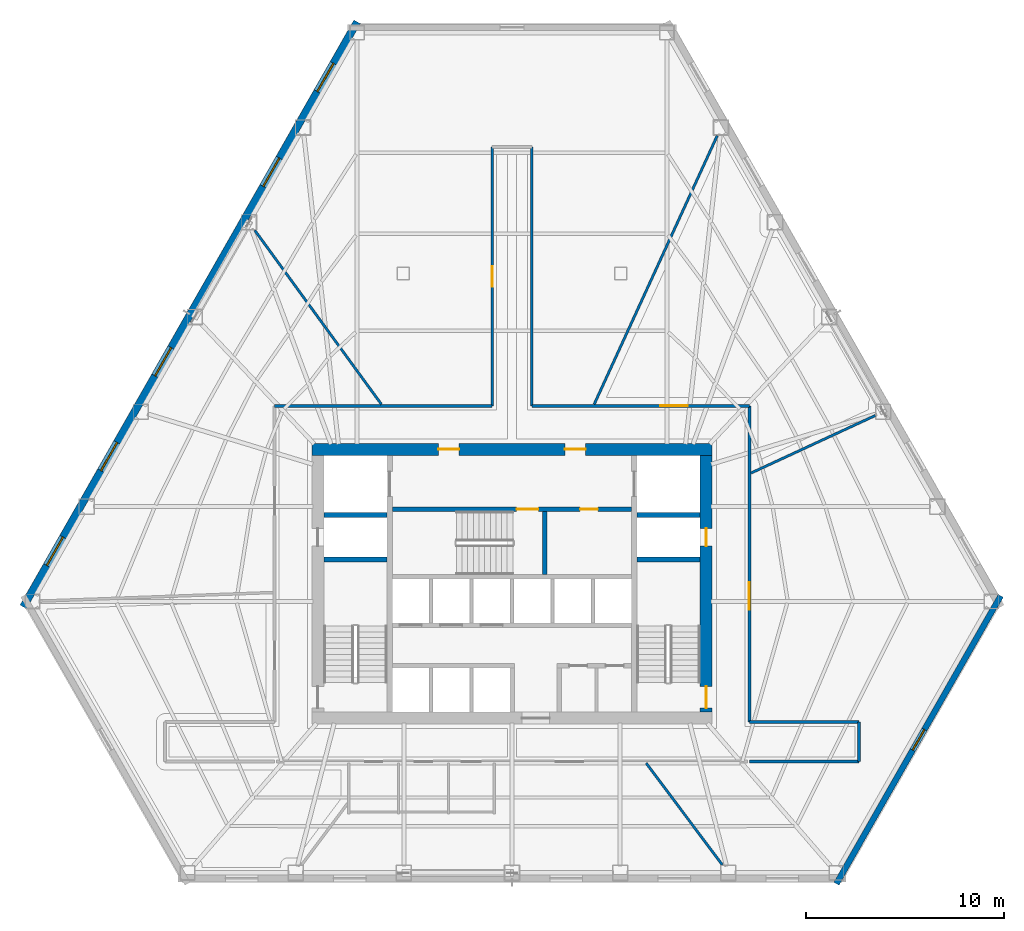
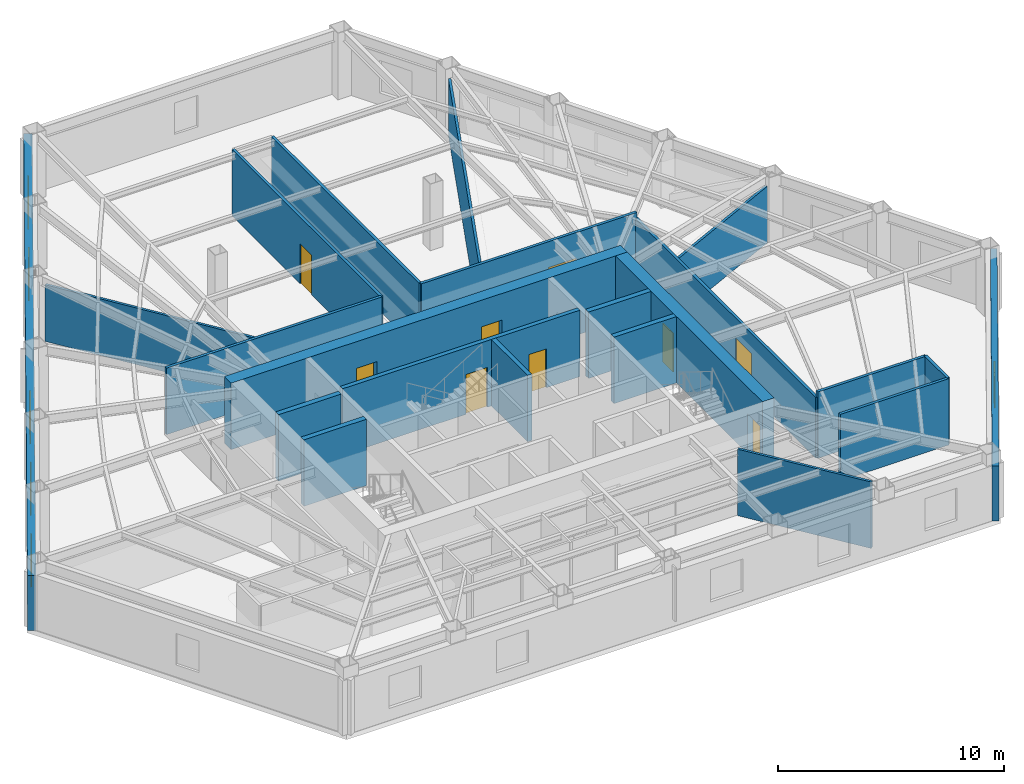
# One storey, part 7 of 11: 22 walls, 9 doors, 6 windows, 15 openings.
"""IFC4 building model written with IfcOpenShell, lengths in metres."""

from ifc_helpers import new_model, si_unit, direction, frame, frame_2d, origin, place, context, subcontext, project, spatial, rectangle, extrude, material, layer, layer_set, type_object, element, fill, save


model = new_model("IFC4")

# Units and contexts
model_context = context("Model", 3, precision=1e-05, world=origin(), true_north=direction((0.0, 1.0)))
body_context = subcontext(model_context, "Body", "Model", "MODEL_VIEW")
ifc_project = project(units=[si_unit("LENGTHUNIT", "METRE"), si_unit("AREAUNIT", "SQUARE_METRE"), si_unit("VOLUMEUNIT", "CUBIC_METRE"), si_unit("PLANEANGLEUNIT", "RADIAN"), si_unit("MASSUNIT", "GRAM", prefix="KILO")], contexts=[model_context])

# Site, building, storey
site_placement = place(None, origin())
site = spatial("IfcSite", under=ifc_project, at=site_placement, CompositionType="ELEMENT")
building_placement = place(site_placement, origin())
building = spatial("IfcBuilding", under=site, at=building_placement, Name="Kavelnor Concourse Tower", CompositionType="ELEMENT")
storey_placement = place(building_placement, frame((0.0, 0.0, 25.25)))
storey = spatial("IfcBuildingStorey", under=building, at=storey_placement, Name="L06", CompositionType="ELEMENT", Elevation=25.25)

# Wall, openings, doors
ifc_material_1 = material(Name="Concrete C60/75", Category="concrete")
ifc_layer_1 = layer(ifc_material_1, 0.60009765625, Name="Concrete C60/75")
ifc_layer_set_1 = layer_set([ifc_layer_1], Name="Concrete C60/75")
wall_type_1 = type_object("IfcWallType", Name="WL-CORE-Z1-600", PredefinedType="SOLIDWALL", material=ifc_layer_set_1)
wall_1_placement = place(storey_placement, frame((27.8798828125, 22.89990234375, 0.0), z_axis=(0.0, 0.0, 1.0), x_axis=(1.0, 0.0, 0.0)))
wall_1 = element("IfcWall", 1, at=wall_1_placement, inside=storey, type_object=wall_type_1, Name="L06 Central Core North Shear Wall", PredefinedType="SOLIDWALL", context=body_context, shape_type="SweptSolid", body=[
    extrude(rectangle(XDim=20.240234375, YDim=0.60009765625, at=frame_2d((10.1201171875, 0.0))), origin(), (0.0, 0.0, 1.0), 3.590087890625),
])
opening_1_placement = place(wall_1_placement, frame((6.39501953125, 0.0, 0.0)))
opening_1 = element("IfcOpeningElement", 2, at=opening_1_placement, cuts=wall_1, Name="Opening FD-105", PredefinedType="OPENING", context=body_context, shape_type="SweptSolid", body=[
    extrude(rectangle(XDim=1.050048828125, YDim=2.14990234375, at=frame_2d((0.52490234375, 1.074951171875))), frame((0.0, 0.31005859375, 0.0), z_axis=(0.0, -1.0, 0.0), x_axis=(1.0, 0.0, 0.0)), (0.0, 0.0, 1.0), 0.6201171875),
])
opening_2_placement = place(wall_1_placement, frame((12.794921875, 0.0, 0.0)))
opening_2 = element("IfcOpeningElement", 3, at=opening_2_placement, cuts=wall_1, Name="Opening FD-105", PredefinedType="OPENING", context=body_context, shape_type="SweptSolid", body=[
    extrude(rectangle(XDim=1.050048828125, YDim=2.14990234375, at=frame_2d((0.52490234375, 1.074951171875))), frame((0.0, 0.31005859375, 0.0), z_axis=(0.0, -1.0, 0.0), x_axis=(1.0, 0.0, 0.0)), (0.0, 0.0, 1.0), 0.6201171875),
])
ifc_material_2 = material(Name="Steel Grade 350", Category="steel")
door_type_1 = type_object("IfcDoorType", Name="DR-LOBBY-FIRE-1050", OperationType="NOTDEFINED", PredefinedType="DOOR", material=ifc_material_2)
door_1_placement = place(opening_1_placement, origin())
door_1 = element("IfcDoor", 4, at=door_1_placement, inside=storey, type_object=door_type_1, Name="L06 Emergency Lift Lobby West Door", OperationType="SINGLE_SWING_LEFT", OverallHeight=2.14990234375, OverallWidth=1.050048828125, PredefinedType="DOOR", context=body_context, shape_type="SweptSolid", body=[
    extrude(rectangle(XDim=1.050048828125, YDim=2.14990234375, at=frame_2d((0.52490234375, 1.074951171875))), frame((0.0, 0.02490234375, 0.0), z_axis=(0.0, -1.0, 0.0), x_axis=(1.0, 0.0, 0.0)), (0.0, 0.0, 1.0), 0.050048828125),
])
fill(opening_1, door_1)
door_2_placement = place(opening_2_placement, origin())
door_2 = element("IfcDoor", 5, at=door_2_placement, inside=storey, type_object=door_type_1, Name="L06 Emergency Lift Lobby East Door", OperationType="SINGLE_SWING_RIGHT", OverallHeight=2.14990234375, OverallWidth=1.050048828125, PredefinedType="DOOR", context=body_context, shape_type="SweptSolid", body=[
    extrude(rectangle(XDim=1.050048828125, YDim=2.14990234375, at=frame_2d((0.52490234375, 1.074951171875))), frame((0.0, 0.02490234375, 0.0), z_axis=(0.0, -1.0, 0.0), x_axis=(1.0, 0.0, 0.0)), (0.0, 0.0, 1.0), 0.050048828125),
])
fill(opening_2, door_2)

wall_2_placement = place(storey_placement, frame((47.820068359375, 9.60009765625, 0.0), z_axis=(0.0, 0.0, 1.0), x_axis=(0.0, 1.0, 0.0)))
wall_2 = element("IfcWall", 6, at=wall_2_placement, inside=storey, type_object=wall_type_1, Name="L06 Central Core East Shear Wall", PredefinedType="SOLIDWALL", context=body_context, shape_type="SweptSolid", body=[
    extrude(rectangle(XDim=13.0, YDim=0.60009765625, at=frame_2d((6.5, 0.0))), origin(), (0.0, 0.0, 1.0), 3.590087890625),
])
opening_3_placement = place(wall_2_placement, frame((0.199951171875, 0.0, 0.0)))
opening_3 = element("IfcOpeningElement", 7, at=opening_3_placement, cuts=wall_2, Name="Opening FD-110", PredefinedType="OPENING", context=body_context, shape_type="SweptSolid", body=[
    extrude(rectangle(XDim=1.10009765625, YDim=2.14990234375, at=frame_2d((0.550048828125, 1.074951171875))), frame((0.0, 0.31005859375, 0.0), z_axis=(0.0, -1.0, 0.0), x_axis=(1.0, 0.0, 0.0)), (0.0, 0.0, 1.0), 0.6201171875),
])
opening_4_placement = place(wall_2_placement, frame((8.39990234375, 0.0, 0.0)))
opening_4 = element("IfcOpeningElement", 8, at=opening_4_placement, cuts=wall_2, Name="Opening FD-090", PredefinedType="OPENING", context=body_context, shape_type="SweptSolid", body=[
    extrude(rectangle(XDim=0.89990234375, YDim=2.10009765625, at=frame_2d((0.449951171875, 1.050048828125))), frame((0.0, 0.31005859375, 0.0), z_axis=(0.0, -1.0, 0.0), x_axis=(1.0, 0.0, 0.0)), (0.0, 0.0, 1.0), 0.6201171875),
])
door_type_2 = type_object("IfcDoorType", Name="DR-RISER-FIRE-900", OperationType="NOTDEFINED", PredefinedType="DOOR", material=ifc_material_2)
door_3_placement = place(opening_4_placement, origin())
door_3 = element("IfcDoor", 9, at=door_3_placement, inside=storey, type_object=door_type_2, Name="L06 East Riser Access Door", OperationType="SINGLE_SWING_LEFT", OverallHeight=2.10009765625, OverallWidth=0.89990234375, PredefinedType="DOOR", context=body_context, shape_type="SweptSolid", body=[
    extrude(rectangle(XDim=0.89990234375, YDim=2.10009765625, at=frame_2d((0.449951171875, 1.050048828125))), frame((0.0, 0.02490234375, 0.0), z_axis=(0.0, -1.0, 0.0), x_axis=(1.0, 0.0, 0.0)), (0.0, 0.0, 1.0), 0.050048828125),
])
fill(opening_4, door_3)
door_type_3 = type_object("IfcDoorType", Name="DR-STAIR-FIRE-1100", OperationType="NOTDEFINED", PredefinedType="DOOR", material=ifc_material_2)
door_4_placement = place(opening_3_placement, origin())
door_4 = element("IfcDoor", 10, at=door_4_placement, inside=storey, type_object=door_type_3, Name="L06 Stair ST2 Fire Door", OperationType="SINGLE_SWING_RIGHT", OverallHeight=2.14990234375, OverallWidth=1.10009765625, PredefinedType="DOOR", context=body_context, shape_type="SweptSolid", body=[
    extrude(rectangle(XDim=1.10009765625, YDim=2.14990234375, at=frame_2d((0.550048828125, 1.074951171875))), frame((0.0, 0.02490234375, 0.0), z_axis=(0.0, -1.0, 0.0), x_axis=(1.0, 0.0, 0.0)), (0.0, 0.0, 1.0), 0.050048828125),
])
fill(opening_3, door_4)

# Wall, opening, window
ifc_material_3 = material(Name="Buff ironspot clay face brick masonry", Category="masonry")
ifc_layer_2 = layer(ifc_material_3, 0.300048828125, Name="Buff ironspot clay face brick masonry")
ifc_layer_set_2 = layer_set([ifc_layer_2], Name="Buff ironspot clay face brick masonry")
wall_type_2 = type_object("IfcWallType", Name="WL-EXT-BUFF-BRICK-FOLD-300", PredefinedType="STANDARD", material=ifc_layer_set_2)
wall_3_placement = place(storey_placement, frame((62.73681640625, 15.48388671875, 0.0), z_axis=(0.0, 0.0, 1.0), x_axis=(-0.495706340457, -0.868490198005, 0.0)))
wall_3 = element("IfcWall", 11, at=wall_3_placement, inside=storey, type_object=wall_type_2, Name="L06 Exterior Brick Facade Wall E4", PredefinedType="STANDARD", context=body_context, shape_type="SweptSolid", body=[
    extrude(rectangle(XDim=16.77685546875, YDim=0.300048828125, at=frame_2d((8.388427734375, 0.0))), origin(), (0.0, 0.0, 1.0), 2.969970703125),
])
opening_5_placement = place(wall_3_placement, frame((7.78857421875, 0.0, 0.64990234375)))
opening_5 = element("IfcOpeningElement", 12, at=opening_5_placement, cuts=wall_3, Name="Opening W-05", PredefinedType="OPENING", context=body_context, shape_type="SweptSolid", body=[
    extrude(rectangle(XDim=1.199951171875, YDim=1.699951171875, at=frame_2d((0.60009765625, 0.85009765625))), frame((0.0, 0.16015625, 0.0), z_axis=(0.0, -1.0, 0.0), x_axis=(1.0, 0.0, 0.0)), (0.0, 0.0, 1.0), 0.320068359375),
])
ifc_material_4 = material(Name="Double low-E argon insulated glazing", Category="glass")
window_type_1 = type_object("IfcWindowType", Name="WIN-FOLD-1200", PartitioningType="SINGLE_PANEL", PredefinedType="WINDOW", material=ifc_material_4)
window_1_placement = place(opening_5_placement, origin())
window_1 = element("IfcWindow", 13, at=window_1_placement, inside=storey, type_object=window_type_1, Name="L06 Chamfer-Fold Facet Window C2", OverallHeight=1.699951171875, OverallWidth=1.199951171875, PartitioningType="SINGLE_PANEL", PredefinedType="WINDOW", context=body_context, shape_type="SweptSolid", body=[
    extrude(rectangle(XDim=1.199951171875, YDim=1.699951171875, at=frame_2d((0.60009765625, 0.85009765625))), frame((0.0, 0.030029296875, 0.0), z_axis=(0.0, -1.0, 0.0), x_axis=(1.0, 0.0, 0.0)), (0.0, 0.0, 1.0), 0.06005859375),
])
fill(opening_5, window_1)

# Wall, openings, windows
ifc_material_5 = material(Name="Red-ochre clay face brick masonry", Category="masonry")
ifc_layer_3 = layer(ifc_material_5, 0.3798828125, Name="Red-ochre clay face brick masonry")
ifc_layer_set_3 = layer_set([ifc_layer_3], Name="Red-ochre clay face brick masonry")
wall_type_3 = type_object("IfcWallType", Name="WL-EXT-RED-BRICK-PIER-380", PredefinedType="STANDARD", material=ifc_layer_set_3)
wall_4_placement = place(storey_placement, frame((13.26318359375, 14.928466796875, 0.0), z_axis=(0.0, 0.0, 1.0), x_axis=(0.495711630902, 0.868487178367, 0.0)))
wall_4 = element("IfcWall", 14, at=wall_4_placement, inside=storey, type_object=wall_type_3, Name="L06 Exterior Brick Facade Wall E1", PredefinedType="STANDARD", context=body_context, shape_type="SweptSolid", body=[
    extrude(rectangle(XDim=34.09228515625, YDim=0.3798828125, at=frame_2d((17.046142578125, 0.0))), origin(), (0.0, 0.0, 1.0), 2.969970703125),
])
opening_6_placement = place(wall_4_placement, frame((30.02685546875, 0.0, 0.64990234375)))
opening_6 = element("IfcOpeningElement", 15, at=opening_6_placement, cuts=wall_4, Name="Opening W-01", PredefinedType="OPENING", context=body_context, shape_type="SweptSolid", body=[
    extrude(rectangle(XDim=1.64990234375, YDim=1.75, at=frame_2d((0.824951171875, 0.875))), frame((0.0, 0.199951171875, 0.0), z_axis=(0.0, -1.0, 0.0), x_axis=(1.0, 0.0, 0.0)), (0.0, 0.0, 1.0), 0.39990234375),
])
opening_7_placement = place(wall_4_placement, frame((24.503662109375, 0.0, 0.64990234375)))
opening_7 = element("IfcOpeningElement", 16, at=opening_7_placement, cuts=wall_4, Name="Opening W-01", PredefinedType="OPENING", context=body_context, shape_type="SweptSolid", body=[
    extrude(rectangle(XDim=1.64990234375, YDim=1.75, at=frame_2d((0.824951171875, 0.875))), frame((0.0, 0.199951171875, 0.0), z_axis=(0.0, -1.0, 0.0), x_axis=(1.0, 0.0, 0.0)), (0.0, 0.0, 1.0), 0.39990234375),
])
opening_8_placement = place(wall_4_placement, frame((13.45703125, 0.0, 0.64990234375)))
opening_8 = element("IfcOpeningElement", 17, at=opening_8_placement, cuts=wall_4, Name="Opening W-01", PredefinedType="OPENING", context=body_context, shape_type="SweptSolid", body=[
    extrude(rectangle(XDim=1.64990234375, YDim=1.75, at=frame_2d((0.824951171875, 0.875))), frame((0.0, 0.199951171875, 0.0), z_axis=(0.0, -1.0, 0.0), x_axis=(1.0, 0.0, 0.0)), (0.0, 0.0, 1.0), 0.39990234375),
])
opening_9_placement = place(wall_4_placement, frame((7.933837890625, 0.0, 0.64990234375)))
opening_9 = element("IfcOpeningElement", 18, at=opening_9_placement, cuts=wall_4, Name="Opening W-01", PredefinedType="OPENING", context=body_context, shape_type="SweptSolid", body=[
    extrude(rectangle(XDim=1.64990234375, YDim=1.75, at=frame_2d((0.824951171875, 0.875))), frame((0.0, 0.199951171875, 0.0), z_axis=(0.0, -1.0, 0.0), x_axis=(1.0, 0.0, 0.0)), (0.0, 0.0, 1.0), 0.39990234375),
])
opening_10_placement = place(wall_4_placement, frame((2.41064453125, 0.0, 0.64990234375)))
opening_10 = element("IfcOpeningElement", 19, at=opening_10_placement, cuts=wall_4, Name="Opening W-01", PredefinedType="OPENING", context=body_context, shape_type="SweptSolid", body=[
    extrude(rectangle(XDim=1.64990234375, YDim=1.75, at=frame_2d((0.824951171875, 0.875))), frame((0.0, 0.199951171875, 0.0), z_axis=(0.0, -1.0, 0.0), x_axis=(1.0, 0.0, 0.0)), (0.0, 0.0, 1.0), 0.39990234375),
])
window_type_2 = type_object("IfcWindowType", Name="WIN-PIER-Z1-1800", PartitioningType="SINGLE_PANEL", PredefinedType="WINDOW", material=ifc_material_4)
window_2_placement = place(opening_6_placement, origin())
window_2 = element("IfcWindow", 20, at=window_2_placement, inside=storey, type_object=window_type_2, Name="L06 Deep-Set Brick Pier Window F0-B0", OverallHeight=1.75, OverallWidth=1.64990234375, PartitioningType="SINGLE_PANEL", PredefinedType="WINDOW", context=body_context, shape_type="SweptSolid", body=[
    extrude(rectangle(XDim=1.64990234375, YDim=1.75, at=frame_2d((0.824951171875, 0.875))), frame((0.0, 0.030029296875, 0.0), z_axis=(0.0, -1.0, 0.0), x_axis=(1.0, 0.0, 0.0)), (0.0, 0.0, 1.0), 0.06005859375),
])
fill(opening_6, window_2)
window_3_placement = place(opening_7_placement, origin())
window_3 = element("IfcWindow", 21, at=window_3_placement, inside=storey, type_object=window_type_2, Name="L06 Deep-Set Brick Pier Window F0-B1", OverallHeight=1.75, OverallWidth=1.64990234375, PartitioningType="SINGLE_PANEL", PredefinedType="WINDOW", context=body_context, shape_type="SweptSolid", body=[
    extrude(rectangle(XDim=1.64990234375, YDim=1.75, at=frame_2d((0.824951171875, 0.875))), frame((0.0, 0.030029296875, 0.0), z_axis=(0.0, -1.0, 0.0), x_axis=(1.0, 0.0, 0.0)), (0.0, 0.0, 1.0), 0.06005859375),
])
fill(opening_7, window_3)
window_4_placement = place(opening_8_placement, origin())
window_4 = element("IfcWindow", 22, at=window_4_placement, inside=storey, type_object=window_type_2, Name="L06 Deep-Set Brick Pier Window F0-B3", OverallHeight=1.75, OverallWidth=1.64990234375, PartitioningType="SINGLE_PANEL", PredefinedType="WINDOW", context=body_context, shape_type="SweptSolid", body=[
    extrude(rectangle(XDim=1.64990234375, YDim=1.75, at=frame_2d((0.824951171875, 0.875))), frame((0.0, 0.030029296875, 0.0), z_axis=(0.0, -1.0, 0.0), x_axis=(1.0, 0.0, 0.0)), (0.0, 0.0, 1.0), 0.06005859375),
])
fill(opening_8, window_4)
window_5_placement = place(opening_9_placement, origin())
window_5 = element("IfcWindow", 23, at=window_5_placement, inside=storey, type_object=window_type_2, Name="L06 Deep-Set Brick Pier Window F0-B4", OverallHeight=1.75, OverallWidth=1.64990234375, PartitioningType="SINGLE_PANEL", PredefinedType="WINDOW", context=body_context, shape_type="SweptSolid", body=[
    extrude(rectangle(XDim=1.64990234375, YDim=1.75, at=frame_2d((0.824951171875, 0.875))), frame((0.0, 0.030029296875, 0.0), z_axis=(0.0, -1.0, 0.0), x_axis=(1.0, 0.0, 0.0)), (0.0, 0.0, 1.0), 0.06005859375),
])
fill(opening_9, window_5)
window_6_placement = place(opening_10_placement, origin())
window_6 = element("IfcWindow", 24, at=window_6_placement, inside=storey, type_object=window_type_2, Name="L06 Deep-Set Brick Pier Window F0-B5", OverallHeight=1.75, OverallWidth=1.64990234375, PartitioningType="SINGLE_PANEL", PredefinedType="WINDOW", context=body_context, shape_type="SweptSolid", body=[
    extrude(rectangle(XDim=1.64990234375, YDim=1.75, at=frame_2d((0.824951171875, 0.875))), frame((0.0, 0.030029296875, 0.0), z_axis=(0.0, -1.0, 0.0), x_axis=(1.0, 0.0, 0.0)), (0.0, 0.0, 1.0), 0.06005859375),
])
fill(opening_10, window_6)

# Wall
ifc_material_6 = material(Name="Gypsum plasterboard on light-gauge steel studs", Category="steel")
ifc_layer_4 = layer(ifc_material_6, 0.14501953125, Name="Gypsum plasterboard on light-gauge steel studs")
ifc_layer_set_4 = layer_set([ifc_layer_4], Name="Gypsum plasterboard on light-gauge steel studs")
wall_type_4 = type_object("IfcWallType", Name="WL-INT-CORR-145", PredefinedType="PARTITIONING", material=ifc_layer_set_4)
wall_5_placement = place(storey_placement, frame((25.97998046875, 25.10009765625, 0.0), z_axis=(0.0, 0.0, 1.0), x_axis=(1.0, 0.0, 0.0)))
element("IfcWall", 25, at=wall_5_placement, inside=storey, type_object=wall_type_4, Name="L06 Corridor Wall WL-L06-CR-03", PredefinedType="PARTITIONING", context=body_context, shape_type="SweptSolid", body=[
    extrude(rectangle(XDim=11.02001953125, YDim=0.14501953125, at=frame_2d((5.510009765625, 0.0))), origin(), (0.0, 0.0, 1.0), 3.590087890625),
])

# Wall, opening, door
wall_6_placement = place(storey_placement, frame((37.0, 25.10009765625, 0.0), z_axis=(0.0, 0.0, 1.0), x_axis=(0.0, 1.0, 0.0)))
wall_6 = element("IfcWall", 26, at=wall_6_placement, inside=storey, type_object=wall_type_4, Name="L06 Corridor Wall WL-L06-CR-04", PredefinedType="PARTITIONING", context=body_context, shape_type="SweptSolid", body=[
    extrude(rectangle(XDim=13.099853515625, YDim=0.14501953125, at=frame_2d((6.5498046875, 0.0))), origin(), (0.0, 0.0, 1.0), 3.590087890625),
])
opening_11_placement = place(wall_6_placement, frame((6.0400390625, 0.0, 0.0)))
opening_11 = element("IfcOpeningElement", 27, at=opening_11_placement, cuts=wall_6, Name="Opening MD-102", PredefinedType="OPENING", context=body_context, shape_type="SweptSolid", body=[
    extrude(rectangle(XDim=1.02001953125, YDim=2.14990234375, at=frame_2d((0.510009765625, 1.074951171875))), frame((0.0, 0.08251953125, 0.0), z_axis=(0.0, -1.0, 0.0), x_axis=(1.0, 0.0, 0.0)), (0.0, 0.0, 1.0), 0.1650390625),
])
ifc_material_7 = material(Name="Acoustic glazed timber frame", Category="wood")
door_type_4 = type_object("IfcDoorType", Name="DR-MEETING-1020", OperationType="NOTDEFINED", PredefinedType="DOOR", material=ifc_material_7)
door_5_placement = place(opening_11_placement, origin())
door_5 = element("IfcDoor", 28, at=door_5_placement, inside=storey, type_object=door_type_4, Name="L06 Client Boardroom 02 Door", OperationType="SINGLE_SWING_LEFT", OverallHeight=2.14990234375, OverallWidth=1.02001953125, PredefinedType="DOOR", context=body_context, shape_type="SweptSolid", body=[
    extrude(rectangle(XDim=1.02001953125, YDim=2.14990234375, at=frame_2d((0.510009765625, 1.074951171875))), frame((0.0, 0.02490234375, 0.0), z_axis=(0.0, -1.0, 0.0), x_axis=(1.0, 0.0, 0.0)), (0.0, 0.0, 1.0), 0.050048828125),
])
fill(opening_11, door_5)

# Wall
wall_7_placement = place(storey_placement, frame((39.0, 38.199951171875, 0.0), z_axis=(0.0, 0.0, 1.0), x_axis=(0.0, -1.0, 0.0)))
element("IfcWall", 29, at=wall_7_placement, inside=storey, type_object=wall_type_4, Name="L06 Corridor Wall WL-L06-CR-06", PredefinedType="PARTITIONING", context=body_context, shape_type="SweptSolid", body=[
    extrude(rectangle(XDim=13.099853515625, YDim=0.14501953125, at=frame_2d((6.5498046875, 0.0))), origin(), (0.0, 0.0, 1.0), 3.590087890625),
])

# Wall, opening, door
wall_8_placement = place(storey_placement, frame((39.0, 25.10009765625, 0.0), z_axis=(0.0, 0.0, 1.0), x_axis=(1.0, 0.0, 0.0)))
wall_8 = element("IfcWall", 30, at=wall_8_placement, inside=storey, type_object=wall_type_4, Name="L06 Corridor Wall WL-L06-CR-07", PredefinedType="PARTITIONING", context=body_context, shape_type="SweptSolid", body=[
    extrude(rectangle(XDim=11.02001953125, YDim=0.14501953125, at=frame_2d((5.510009765625, 0.0))), origin(), (0.0, 0.0, 1.0), 3.590087890625),
])
opening_12_placement = place(wall_8_placement, frame((6.5048828125, 0.0, 0.0)))
opening_12 = element("IfcOpeningElement", 31, at=opening_12_placement, cuts=wall_8, Name="Opening SD-140", PredefinedType="OPENING", context=body_context, shape_type="SweptSolid", body=[
    extrude(rectangle(XDim=1.39990234375, YDim=2.199951171875, at=frame_2d((0.699951171875, 1.10009765625))), frame((0.0, 0.08251953125, 0.0), z_axis=(0.0, -1.0, 0.0), x_axis=(1.0, 0.0, 0.0)), (0.0, 0.0, 1.0), 0.1650390625),
])
ifc_material_8 = material(Name="Solid-core hardwood timber", Category="wood")
door_type_5 = type_object("IfcDoorType", Name="DR-SUITE-ENTRY-1400", OperationType="NOTDEFINED", PredefinedType="DOOR", material=ifc_material_8)
door_6_placement = place(opening_12_placement, origin())
door_6 = element("IfcDoor", 32, at=door_6_placement, inside=storey, type_object=door_type_5, Name="L06 Workplace Open Office 01 Door", OperationType="SINGLE_SWING_RIGHT", OverallHeight=2.199951171875, OverallWidth=1.39990234375, PredefinedType="DOOR", context=body_context, shape_type="SweptSolid", body=[
    extrude(rectangle(XDim=1.39990234375, YDim=2.199951171875, at=frame_2d((0.699951171875, 1.10009765625))), frame((0.0, 0.02490234375, 0.0), z_axis=(0.0, -1.0, 0.0), x_axis=(1.0, 0.0, 0.0)), (0.0, 0.0, 1.0), 0.050048828125),
])
fill(opening_12, door_6)

wall_9_placement = place(storey_placement, frame((50.02001953125, 25.10009765625, 0.0), z_axis=(0.0, 0.0, 1.0), x_axis=(0.0, -1.0, 0.0)))
wall_9 = element("IfcWall", 33, at=wall_9_placement, inside=storey, type_object=wall_type_4, Name="L06 Corridor Wall WL-L06-CR-08", PredefinedType="PARTITIONING", context=body_context, shape_type="SweptSolid", body=[
    extrude(rectangle(XDim=16.0, YDim=0.14501953125, at=frame_2d((8.0, 0.0))), origin(), (0.0, 0.0, 1.0), 3.278076171875),
])
opening_13_placement = place(wall_9_placement, frame((8.91552734375, 0.0, 0.0)))
opening_13 = element("IfcOpeningElement", 34, at=opening_13_placement, cuts=wall_9, Name="Opening SD-140", PredefinedType="OPENING", context=body_context, shape_type="SweptSolid", body=[
    extrude(rectangle(XDim=1.39990234375, YDim=2.199951171875, at=frame_2d((0.699951171875, 1.10009765625))), frame((0.0, 0.08251953125, 0.0), z_axis=(0.0, -1.0, 0.0), x_axis=(1.0, 0.0, 0.0)), (0.0, 0.0, 1.0), 0.1650390625),
])
door_7_placement = place(opening_13_placement, origin())
door_7 = element("IfcDoor", 35, at=door_7_placement, inside=storey, type_object=door_type_5, Name="L06 Workplace Open Office 06 Door", OperationType="SINGLE_SWING_LEFT", OverallHeight=2.199951171875, OverallWidth=1.39990234375, PredefinedType="DOOR", context=body_context, shape_type="SweptSolid", body=[
    extrude(rectangle(XDim=1.39990234375, YDim=2.199951171875, at=frame_2d((0.699951171875, 1.10009765625))), frame((0.0, 0.02490234375, 0.0), z_axis=(0.0, -1.0, 0.0), x_axis=(1.0, 0.0, 0.0)), (0.0, 0.0, 1.0), 0.050048828125),
])
fill(opening_13, door_7)

# Walls
wall_10_placement = place(storey_placement, frame((50.02001953125, 9.10009765625, 0.0), z_axis=(0.0, 0.0, 1.0), x_axis=(1.0, 0.0, 0.0)))
element("IfcWall", 36, at=wall_10_placement, inside=storey, type_object=wall_type_4, Name="L06 Corridor Wall WL-L06-CR-09", PredefinedType="PARTITIONING", context=body_context, shape_type="SweptSolid", body=[
    extrude(rectangle(XDim=5.549560546875, YDim=0.14501953125, at=frame_2d((2.77490234375, 0.0))), origin(), (0.0, 0.0, 1.0), 3.590087890625),
])
wall_11_placement = place(storey_placement, frame((55.569580078125, 9.10009765625, 0.0), z_axis=(0.0, 0.0, 1.0), x_axis=(0.0, -1.0, 0.0)))
element("IfcWall", 37, at=wall_11_placement, inside=storey, type_object=wall_type_4, Name="L06 Corridor Wall WL-L06-CR-10", PredefinedType="PARTITIONING", context=body_context, shape_type="SweptSolid", body=[
    extrude(rectangle(XDim=2.0, YDim=0.14501953125, at=frame_2d((1.0, 0.0))), origin(), (0.0, 0.0, 1.0), 3.590087890625),
])
wall_12_placement = place(storey_placement, frame((55.569580078125, 7.10009765625, 0.0), z_axis=(0.0, 0.0, 1.0), x_axis=(-1.0, 0.0, 0.0)))
element("IfcWall", 38, at=wall_12_placement, inside=storey, type_object=wall_type_4, Name="L06 Corridor Wall WL-L06-CR-11", PredefinedType="PARTITIONING", context=body_context, shape_type="SweptSolid", body=[
    extrude(rectangle(XDim=5.549560546875, YDim=0.14501953125, at=frame_2d((2.77490234375, 0.0))), origin(), (0.0, 0.0, 1.0), 3.590087890625),
])
ifc_layer_5 = layer(ifc_material_6, 0.125, Name="Gypsum plasterboard on light-gauge steel studs")
ifc_layer_set_5 = layer_set([ifc_layer_5], Name="Gypsum plasterboard on light-gauge steel studs")
wall_type_5 = type_object("IfcWallType", Name="WL-INT-SUITE-125", PredefinedType="PARTITIONING", material=ifc_layer_set_5)
wall_13_placement = place(storey_placement, frame((50.1005859375, 21.7021484375, 0.0), z_axis=(0.0, 0.0, 1.0), x_axis=(0.907458193586, 0.420142388832, 0.0)))
element("IfcWall", 39, at=wall_13_placement, inside=storey, type_object=wall_type_5, Name="L06 Radial Suite Partition 01", PredefinedType="PARTITIONING", context=body_context, shape_type="SweptSolid", body=[
    extrude(rectangle(XDim=6.923583984375, YDim=0.125, at=frame_2d((3.4619140625, 0.0))), origin(), (0.0, 0.0, 1.0), 3.056884765625),
])
wall_14_placement = place(storey_placement, frame((42.15966796875, 25.180419921875, 0.0), z_axis=(0.0, 0.0, 1.0), x_axis=(0.416471526835, 0.90914875974, 0.0)))
element("IfcWall", 40, at=wall_14_placement, inside=storey, type_object=wall_type_5, Name="L06 Radial Suite Partition 02", PredefinedType="PARTITIONING", context=body_context, shape_type="SweptSolid", body=[
    extrude(rectangle(XDim=14.96142578125, YDim=0.125, at=frame_2d((7.480712890625, 0.0))), origin(), (0.0, 0.0, 1.0), 3.056884765625),
])
wall_15_placement = place(storey_placement, frame((31.390380859375, 25.180419921875, 0.0), z_axis=(0.0, 0.0, 1.0), x_axis=(-0.588482227792, 0.808510153043, 0.0)))
element("IfcWall", 41, at=wall_15_placement, inside=storey, type_object=wall_type_5, Name="L06 Radial Suite Partition 03", PredefinedType="PARTITIONING", context=body_context, shape_type="SweptSolid", body=[
    extrude(rectangle(XDim=10.890625, YDim=0.125, at=frame_2d((5.4453125, 0.0))), origin(), (0.0, 0.0, 1.0), 3.056884765625),
])
wall_16_placement = place(storey_placement, frame((44.792236328125, 7.01953125, 0.0), z_axis=(0.0, 0.0, 1.0), x_axis=(0.598984945208, -0.800760285863, 0.0)))
element("IfcWall", 42, at=wall_16_placement, inside=storey, type_object=wall_type_5, Name="L06 Radial Suite Partition 06", PredefinedType="PARTITIONING", context=body_context, shape_type="SweptSolid", body=[
    extrude(rectangle(XDim=6.4296875, YDim=0.125, at=frame_2d((3.21484375, 0.0))), origin(), (0.0, 0.0, 1.0), 3.590087890625),
])

# Wall, openings, doors
ifc_material_9 = material(Name="Concrete C50/60", Category="concrete")
ifc_layer_6 = layer(ifc_material_9, 0.219970703125, Name="Concrete C50/60")
ifc_layer_set_6 = layer_set([ifc_layer_6], Name="Concrete C50/60")
wall_type_6 = type_object("IfcWallType", Name="WL-SHAFT-220", PredefinedType="SOLIDWALL", material=ifc_layer_set_6)
wall_17_placement = place(storey_placement, frame((31.93994140625, 19.8701171875, 0.0), z_axis=(0.0, 0.0, 1.0), x_axis=(1.0, 0.0, 0.0)))
wall_17 = element("IfcWall", 43, at=wall_17_placement, inside=storey, type_object=wall_type_6, Name="L06 Emergency Lift Lobby South Wall", PredefinedType="SOLIDWALL", context=body_context, shape_type="SweptSolid", body=[
    extrude(rectangle(XDim=12.1201171875, YDim=0.219970703125, at=frame_2d((6.06005859375, 0.0))), origin(), (0.0, 0.0, 1.0), 3.590087890625),
])
opening_14_placement = place(wall_17_placement, frame((6.300048828125, 0.0, 0.0)))
opening_14 = element("IfcOpeningElement", 44, at=opening_14_placement, cuts=wall_17, Name="Opening FD-110", PredefinedType="OPENING", context=body_context, shape_type="SweptSolid", body=[
    extrude(rectangle(XDim=1.10009765625, YDim=2.14990234375, at=frame_2d((0.550048828125, 1.074951171875))), frame((0.0, 0.1201171875, 0.0), z_axis=(0.0, -1.0, 0.0), x_axis=(1.0, 0.0, 0.0)), (0.0, 0.0, 1.0), 0.239990234375),
])
opening_15_placement = place(wall_17_placement, frame((9.510009765625, 0.0, 0.0)))
opening_15 = element("IfcOpeningElement", 45, at=opening_15_placement, cuts=wall_17, Name="Opening FD-090", PredefinedType="OPENING", context=body_context, shape_type="SweptSolid", body=[
    extrude(rectangle(XDim=0.89990234375, YDim=2.10009765625, at=frame_2d((0.449951171875, 1.050048828125))), frame((0.0, 0.1201171875, 0.0), z_axis=(0.0, -1.0, 0.0), x_axis=(1.0, 0.0, 0.0)), (0.0, 0.0, 1.0), 0.239990234375),
])
door_8_placement = place(opening_15_placement, origin())
door_8 = element("IfcDoor", 46, at=door_8_placement, inside=storey, type_object=door_type_2, Name="L06 Electrical Comms Door", OperationType="SINGLE_SWING_LEFT", OverallHeight=2.10009765625, OverallWidth=0.89990234375, PredefinedType="DOOR", context=body_context, shape_type="SweptSolid", body=[
    extrude(rectangle(XDim=0.89990234375, YDim=2.10009765625, at=frame_2d((0.449951171875, 1.050048828125))), frame((0.0, 0.02490234375, 0.0), z_axis=(0.0, -1.0, 0.0), x_axis=(1.0, 0.0, 0.0)), (0.0, 0.0, 1.0), 0.050048828125),
])
fill(opening_15, door_8)
door_9_placement = place(opening_14_placement, origin())
door_9 = element("IfcDoor", 47, at=door_9_placement, inside=storey, type_object=door_type_3, Name="L06 Stair ST3 Fire Door", OperationType="SINGLE_SWING_LEFT", OverallHeight=2.14990234375, OverallWidth=1.10009765625, PredefinedType="DOOR", context=body_context, shape_type="SweptSolid", body=[
    extrude(rectangle(XDim=1.10009765625, YDim=2.14990234375, at=frame_2d((0.550048828125, 1.074951171875))), frame((0.0, 0.02490234375, 0.0), z_axis=(0.0, -1.0, 0.0), x_axis=(1.0, 0.0, 0.0)), (0.0, 0.0, 1.0), 0.050048828125),
])
fill(opening_14, door_9)

# Walls
wall_18_placement = place(storey_placement, frame((39.64990234375, 16.56005859375, 0.0), z_axis=(0.0, 0.0, 1.0), x_axis=(0.0, 1.0, 0.0)))
element("IfcWall", 48, at=wall_18_placement, inside=storey, type_object=wall_type_6, Name="L06 Stair ST3 East Core Wall", PredefinedType="SOLIDWALL", context=body_context, shape_type="SweptSolid", body=[
    extrude(rectangle(XDim=3.199951171875, YDim=0.219970703125, at=frame_2d((1.60009765625, 0.0))), origin(), (0.0, 0.0, 1.0), 3.590087890625),
])
ifc_layer_7 = layer(ifc_material_9, 0.260009765625, Name="Concrete C50/60")
ifc_layer_set_7 = layer_set([ifc_layer_7], Name="Concrete C50/60")
wall_type_7 = type_object("IfcWallType", Name="WL-SHAFT-260", PredefinedType="SHEAR", material=ifc_layer_set_7)
for number, where, z_axis, x_axis, name in (
    (49, (28.47998046875, 17.330078125, 0.0), (0.0, 0.0, 1.0), (1.0, 0.0, 0.0), "L06 Stair ST1 North Shaft Wall"),
    (50, (28.47998046875, 19.570068359375, 0.0), (0.0, 0.0, 1.0), (1.0, 0.0, 0.0), "L06 Emergency Lift FL1 South Shaft Wall"),
    (51, (44.320068359375, 17.330078125, 0.0), (0.0, 0.0, 1.0), (1.0, 0.0, 0.0), "L06 Stair ST2 North Shaft Wall"),
    (52, (44.320068359375, 19.570068359375, 0.0), (0.0, 0.0, 1.0), (1.0, 0.0, 0.0), "L06 Emergency Lift FL2 South Shaft Wall"),
):
    element("IfcWall", number, at=place(storey_placement, frame(where, z_axis=z_axis, x_axis=x_axis)), inside=storey, type_object=wall_type_7, Name=name, PredefinedType="SHEAR", context=body_context, shape_type="SweptSolid", body=[
        extrude(rectangle(XDim=3.199951171875, YDim=0.260009765625, at=frame_2d((1.60009765625, 0.0))), origin(), (0.0, 0.0, 1.0), 3.590087890625),
    ])

save(model, "model.ifc")
